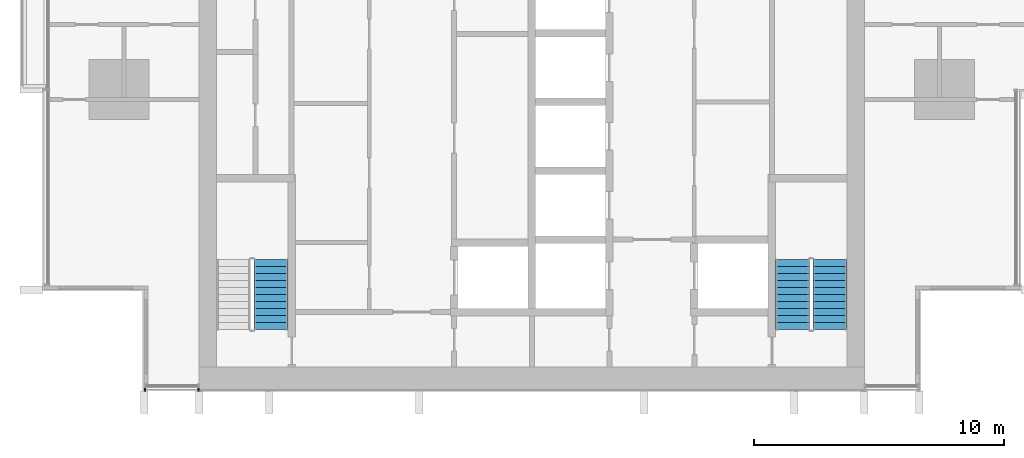
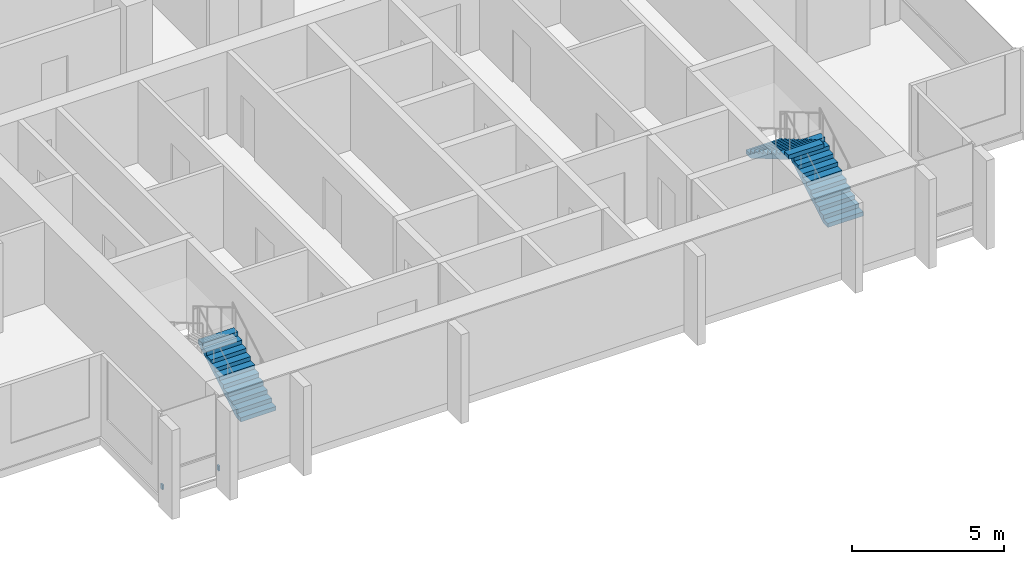
# One storey, part 12 of 17: 3 stair flights, 2 discrete accessories, 2 elements without a shape of their own.
"""IFC4 building model written with IfcOpenShell, lengths in metres."""

from ifc_helpers import new_model, si_unit, direction, frame, origin, origin_2d, place, context, subcontext, project, spatial, polyline, rectangle, outline, extrude, material, type_object, element, aggregate, save


model = new_model("IFC4")

# Units and contexts
model_context = context("Model", 3, precision=1e-05, world=origin(), true_north=direction((0.0, 1.0)))
body_context = subcontext(model_context, "Body", "Model", "MODEL_VIEW")
ifc_project = project(units=[si_unit("LENGTHUNIT", "METRE"), si_unit("AREAUNIT", "SQUARE_METRE"), si_unit("VOLUMEUNIT", "CUBIC_METRE"), si_unit("PLANEANGLEUNIT", "RADIAN"), si_unit("MASSUNIT", "GRAM", prefix="KILO")], contexts=[model_context])

# Site, building, storey
site_placement = place(None, origin())
site = spatial("IfcSite", under=ifc_project, at=site_placement, CompositionType="ELEMENT")
building_placement = place(site_placement, origin())
building = spatial("IfcBuilding", under=site, at=building_placement, Name="Finial Court Residences", CompositionType="ELEMENT")
storey_placement = place(building_placement, frame((0.0, 0.0, 167.300048828125)))
storey = spatial("IfcBuildingStorey", under=building, at=storey_placement, Name="L41", CompositionType="ELEMENT", Elevation=167.300048828125)

# Stair, stair flight
ifc_material_1 = material(Name="Concrete C50/60", Category="concrete")
stair_type = type_object("IfcStairType", Name="Exit stair 22 risers of 163.6 mm", PredefinedType="HALF_TURN_STAIR", material=ifc_material_1)
stair_1_placement = place(storey_placement, origin())
stair_1 = element("IfcStair", 1, at=stair_1_placement, inside=storey, type_object=stair_type, Name="L41 Exit stair ST-1", PredefinedType="HALF_TURN_STAIR")
stair_flight_type = type_object("IfcStairFlightType", Name="Exit stair flight", PredefinedType="STRAIGHT", material=ifc_material_1)
stair_flight_1_placement = place(storey_placement, frame((-10.425048828125, -23.10009765625, 0.0), z_axis=(0.0, 0.0, 1.0), x_axis=(0.0, 1.0, 0.0)))
stair_flight_1 = element("IfcStairFlight", 2, at=stair_flight_1_placement, type_object=stair_flight_type, Name="ST-1 flight 1", NumberOfRisers=11, NumberOfTreads=10, PredefinedType="STRAIGHT", RiserHeight=0.163636364, TreadLength=0.28, context=body_context, shape_type="SweptSolid", body=[
    extrude(outline(polyline([(0.0, 0.0), (0.0, 0.16357421875), (0.280029296875, 0.16357421875), (0.280029296875, 0.327392578125), (0.56005859375, 0.327392578125), (0.56005859375, 0.490966796875), (0.840087890625, 0.490966796875), (0.840087890625, 0.654541015625), (1.1201171875, 0.654541015625), (1.1201171875, 0.818115234375), (1.39990234375, 0.818115234375), (1.39990234375, 0.98193359375), (1.679931640625, 0.98193359375), (1.679931640625, 1.1455078125), (1.9599609375, 1.1455078125), (1.9599609375, 1.30908203125), (2.239990234375, 1.30908203125), (2.239990234375, 1.47265625), (2.52001953125, 1.47265625), (2.52001953125, 1.636474609375), (2.800048828125, 1.636474609375), (2.800048828125, 1.800048828125), (2.800048828125, 1.462646484375), (0.297119140625, 0.0), (0.0, 0.0)])), frame((0.0, 0.675048828125, 0.0), z_axis=(0.0, -1.0, 0.0), x_axis=(1.0, 0.0, 0.0)), (0.0, 0.0, 1.0), 1.35009765625),
])
aggregate(stair_1, [stair_flight_1])

# Stair, stair flights
stair_2_placement = place(storey_placement, origin())
stair_2 = element("IfcStair", 3, at=stair_2_placement, inside=storey, type_object=stair_type, Name="L41 Exit stair ST-2", PredefinedType="HALF_TURN_STAIR")
stair_flight_2_placement = place(storey_placement, frame((11.925048828125, -23.10009765625, 0.0), z_axis=(0.0, 0.0, 1.0), x_axis=(0.0, 1.0, 0.0)))
stair_flight_2 = element("IfcStairFlight", 4, at=stair_flight_2_placement, type_object=stair_flight_type, Name="ST-2 flight 1", NumberOfRisers=11, NumberOfTreads=10, PredefinedType="STRAIGHT", RiserHeight=0.163636364, TreadLength=0.28, context=body_context, shape_type="SweptSolid", body=[
    extrude(outline(polyline([(0.0, 0.0), (0.0, 0.16357421875), (0.280029296875, 0.16357421875), (0.280029296875, 0.327392578125), (0.56005859375, 0.327392578125), (0.56005859375, 0.490966796875), (0.840087890625, 0.490966796875), (0.840087890625, 0.654541015625), (1.1201171875, 0.654541015625), (1.1201171875, 0.818115234375), (1.39990234375, 0.818115234375), (1.39990234375, 0.98193359375), (1.679931640625, 0.98193359375), (1.679931640625, 1.1455078125), (1.9599609375, 1.1455078125), (1.9599609375, 1.30908203125), (2.239990234375, 1.30908203125), (2.239990234375, 1.47265625), (2.52001953125, 1.47265625), (2.52001953125, 1.636474609375), (2.800048828125, 1.636474609375), (2.800048828125, 1.800048828125), (2.800048828125, 1.462646484375), (0.297119140625, 0.0), (0.0, 0.0)])), frame((0.0, 0.675048828125, 0.0), z_axis=(0.0, -1.0, 0.0), x_axis=(1.0, 0.0, 0.0)), (0.0, 0.0, 1.0), 1.35009765625),
])
stair_flight_3_placement = place(storey_placement, frame((10.425048828125, -20.300048828125, 1.800048828125), z_axis=(0.0, 0.0, 1.0), x_axis=(0.0, -1.0, 0.0)))
stair_flight_3 = element("IfcStairFlight", 5, at=stair_flight_3_placement, type_object=stair_flight_type, Name="ST-2 flight 2", NumberOfRisers=11, NumberOfTreads=10, PredefinedType="STRAIGHT", RiserHeight=0.163636364, TreadLength=0.28, context=body_context, shape_type="SweptSolid", body=[
    extrude(outline(polyline([(0.0, 0.0), (0.0, 0.16357421875), (0.280029296875, 0.16357421875), (0.280029296875, 0.327392578125), (0.56005859375, 0.327392578125), (0.56005859375, 0.490966796875), (0.840087890625, 0.490966796875), (0.840087890625, 0.654541015625), (1.1201171875, 0.654541015625), (1.1201171875, 0.818115234375), (1.39990234375, 0.818115234375), (1.39990234375, 0.98193359375), (1.679931640625, 0.98193359375), (1.679931640625, 1.1455078125), (1.9599609375, 1.1455078125), (1.9599609375, 1.30908203125), (2.239990234375, 1.30908203125), (2.239990234375, 1.47265625), (2.52001953125, 1.47265625), (2.52001953125, 1.636474609375), (2.800048828125, 1.636474609375), (2.800048828125, 1.800048828125), (2.800048828125, 1.462646484375), (0.297119140625, 0.0), (0.0, 0.0)])), frame((0.0, 0.675048828125, 0.0), z_axis=(0.0, -1.0, 0.0), x_axis=(1.0, 0.0, 0.0)), (0.0, 0.0, 1.0), 1.35009765625),
])
aggregate(stair_2, [stair_flight_2, stair_flight_3])

# Discrete accessories
ifc_material_2 = material(Name="Stainless steel 316", Category="steel")
discrete_accessory_type = type_object("IfcDiscreteAccessoryType", Name="Fin bracket, stainless steel 60 x 122 x 200", PredefinedType="BRACKET", material=ifc_material_2)
for number, where, z_axis, x_axis, name in (
    (6, (-15.469970703125, -25.498779296875, 0.2998046875), (0.0, 0.0, 1.0), (1.0, 0.0, 0.0), "E-L41-FIN-S14-BRK"),
    (7, (-13.330078125, -25.498779296875, 0.2998046875), (0.0, 0.0, 1.0), (1.0, 0.0, 0.0), "E-L41-FIN-S15-BRK"),
):
    element("IfcDiscreteAccessory", number, at=place(storey_placement, frame(where, z_axis=z_axis, x_axis=x_axis)), inside=storey, type_object=discrete_accessory_type, Name=name, PredefinedType="BRACKET", context=body_context, shape_type="SweptSolid", body=[
        extrude(rectangle(XDim=0.06005859375, YDim=0.12255859375, at=origin_2d()), origin(), (0.0, 0.0, 1.0), 0.199951171875),
    ])

save(model, "model.ifc")
